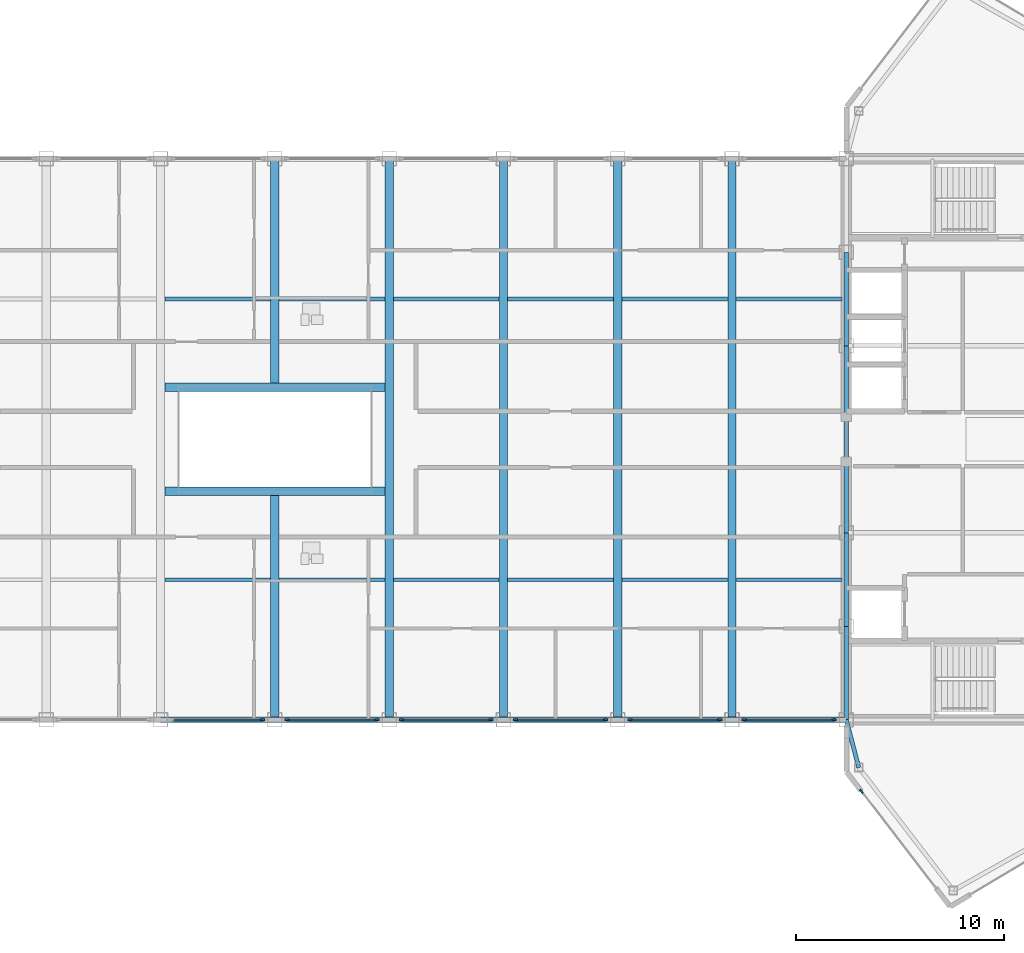
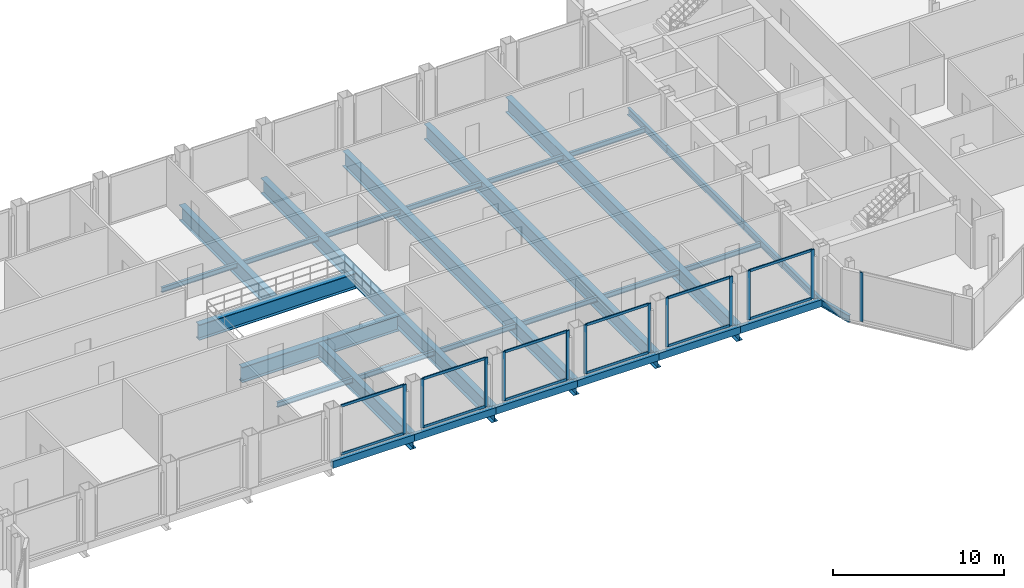
# One storey, part 13 of 28: 31 beams, 24 members, 7 elements without a shape of their own.
"""IFC4 building model written with IfcOpenShell, lengths in metres."""

from ifc_helpers import new_model, si_unit, direction, frame, origin, origin_2d, place, context, subcontext, project, spatial, rectangle, hollow_rectangle, i_section, extrude, source, transform, mapped, material, layer, layer_set, material_profile, profile_set, type_object, type_shapes, element, aggregate, save


model = new_model("IFC4")

# Units and contexts
model_context = context("Model", 3, precision=1e-05, world=origin(), true_north=direction((0.0, 1.0)))
body_context = subcontext(model_context, "Body", "Model", "MODEL_VIEW")
ifc_project = project(units=[si_unit("LENGTHUNIT", "METRE"), si_unit("AREAUNIT", "SQUARE_METRE"), si_unit("VOLUMEUNIT", "CUBIC_METRE"), si_unit("PLANEANGLEUNIT", "RADIAN"), si_unit("MASSUNIT", "GRAM", prefix="KILO")], contexts=[model_context])

# Site, building, storey
site_placement = place(None, origin())
site = spatial("IfcSite", under=ifc_project, at=site_placement, CompositionType="ELEMENT")
building_placement = place(site_placement, origin())
building = spatial("IfcBuilding", under=site, at=building_placement, Name="Seokmaru Belvedere", CompositionType="ELEMENT")
storey_placement = place(building_placement, frame((0.0, 0.0, 265.64990234375)))
storey = spatial("IfcBuildingStorey", under=building, at=storey_placement, Name="L70", CompositionType="ELEMENT", Elevation=265.64990234375)

# Beams
ifc_material_1 = material(Name="Steel SM355 (355 MPa)", Category="steel")
ifc_material_profile_1 = material_profile(ifc_material_1, i_section(OverallWidth=0.199951171875, OverallDepth=0.5, WebThickness=0.010009765625, FlangeThickness=0.01611328125, at=origin_2d()), Name="H-500x200x10x16")
ifc_profile_set_1 = profile_set([ifc_material_profile_1], Name="Steel SM355 (355 MPa)")
beam_type_1 = type_object("IfcBeamType", Name="Perimeter Spandrel Beam H-500", PredefinedType="SPANDREL", material=ifc_profile_set_1)
shared_shape_1 = source(origin(), body_context, "Body", "SweptSolid", [
    extrude(i_section(OverallWidth=0.199951171875, OverallDepth=0.5, WebThickness=0.010009765625, FlangeThickness=0.01611328125, at=origin_2d()), origin(), (0.0, 0.0, 1.0), 4.5),
])
for number, where, z_axis, x_axis, name in (
    (1, (27.5, -13.5, -0.469970703125), (0.0, 1.0, 0.0), (-1.0, 0.0, 0.0), "L70 E Portal Spine Spandrel 1"),
    (2, (27.5, -9.0, -0.469970703125), (0.0, 1.0, 0.0), (-1.0, 0.0, 0.0), "L70 E Portal Spine Spandrel 2"),
    (3, (27.5, 4.5, -0.469970703125), (0.0, 1.0, 0.0), (-1.0, 0.0, 0.0), "L70 E Portal Spine Spandrel 4"),
):
    element("IfcBeam", number, at=place(storey_placement, frame(where, z_axis=z_axis, x_axis=x_axis)), inside=storey, type_object=beam_type_1, Name=name, PredefinedType="SPANDREL", context=body_context, shape_type="MappedRepresentation", body=[
        mapped(shared_shape_1, transform((0.0, 0.0, 0.0), scale=1.0)),
    ])
shared_shape_2 = source(origin(), body_context, "Body", "SweptSolid", [
    extrude(i_section(OverallWidth=0.199951171875, OverallDepth=0.5, WebThickness=0.010009765625, FlangeThickness=0.01611328125, at=origin_2d()), origin(), (0.0, 0.0, 1.0), 9.0),
])
beam_1_placement = place(storey_placement, frame((27.5, -4.5, -0.469970703125), z_axis=(0.0, 1.0, 0.0), x_axis=(-1.0, 0.0, 0.0)))
element("IfcBeam", 4, at=beam_1_placement, inside=storey, type_object=beam_type_1, Name="L70 E Portal Spine Spandrel 3", PredefinedType="SPANDREL", context=body_context, shape_type="MappedRepresentation", body=[
    mapped(shared_shape_2, transform((0.0, 0.0, 0.0), scale=1.0)),
])
shared_shape_3 = source(origin(), body_context, "Body", "SweptSolid", [
    extrude(i_section(OverallWidth=0.199951171875, OverallDepth=0.5, WebThickness=0.010009765625, FlangeThickness=0.01611328125, at=origin_2d()), origin(), (0.0, 0.0, 1.0), 2.373046875),
])
type_shapes(beam_type_1, [shared_shape_1, shared_shape_2, shared_shape_3])
beam_2_placement = place(storey_placement, frame((28.10009765625, -15.7958984375, -0.469970703125), z_axis=(-0.252882558842, 0.967496982648, 0.0), x_axis=(-0.967496982648, -0.252882558842, 0.0)))
element("IfcBeam", 5, at=beam_2_placement, inside=storey, type_object=beam_type_1, Name="L70 E Shoulder Spine Spandrel S", PredefinedType="SPANDREL", context=body_context, shape_type="MappedRepresentation", body=[
    mapped(shared_shape_3, transform((0.0, 0.0, 0.0), scale=1.0)),
])
ifc_material_profile_2 = material_profile(ifc_material_1, i_section(OverallWidth=0.39990234375, OverallDepth=1.10009765625, WebThickness=0.02001953125, FlangeThickness=0.033935546875, at=origin_2d()), Name="BH-1100x400x20x34")
ifc_profile_set_2 = profile_set([ifc_material_profile_2], Name="Steel SM355 (355 MPa)")
beam_type_2 = type_object("IfcBeamType", Name="Sky-Gate Transverse Girder BH-1100", PredefinedType="BEAM", material=ifc_profile_set_2)
shared_shape_4 = source(origin(), body_context, "Body", "SweptSolid", [
    extrude(i_section(OverallWidth=0.39990234375, OverallDepth=1.10009765625, WebThickness=0.02001953125, FlangeThickness=0.033935546875, at=origin_2d()), origin(), (0.0, 0.0, 1.0), 27.0),
])
for number, where, z_axis, x_axis, name in (
    (6, (5.5, -13.5, -0.77001953125), (0.0, 1.0, 0.0), (-1.0, 0.0, 0.0), "L70 Sky-Gate Transverse Girder 06"),
    (7, (11.0, -13.5, -0.77001953125), (0.0, 1.0, 0.0), (-1.0, 0.0, 0.0), "L70 Sky-Gate Transverse Girder 07"),
    (8, (16.5, -13.5, -0.77001953125), (0.0, 1.0, 0.0), (-1.0, 0.0, 0.0), "L70 Sky-Gate Transverse Girder 08"),
    (9, (22.0, -13.5, -0.77001953125), (0.0, 1.0, 0.0), (-1.0, 0.0, 0.0), "L70 Sky-Gate Transverse Girder 09"),
):
    element("IfcBeam", number, at=place(storey_placement, frame(where, z_axis=z_axis, x_axis=x_axis)), inside=storey, type_object=beam_type_2, Name=name, PredefinedType="BEAM", context=body_context, shape_type="MappedRepresentation", body=[
        mapped(shared_shape_4, transform((0.0, 0.0, 0.0), scale=1.0)),
    ])
ifc_material_profile_3 = material_profile(ifc_material_1, i_section(OverallWidth=0.175048828125, OverallDepth=0.35009765625, WebThickness=0.007080078125, FlangeThickness=0.010986328125, at=origin_2d()), Name="H-350x175x7x11")
ifc_profile_set_3 = profile_set([ifc_material_profile_3], Name="Steel SM355 (355 MPa)")
beam_type_3 = type_object("IfcBeamType", Name="Secondary Floor Joist H-300", PredefinedType="JOIST", material=ifc_profile_set_3)
shared_shape_5 = source(origin(), body_context, "Body", "SweptSolid", [
    extrude(i_section(OverallWidth=0.175048828125, OverallDepth=0.35009765625, WebThickness=0.007080078125, FlangeThickness=0.010986328125, at=origin_2d()), origin(), (0.0, 0.0, 1.0), 5.08984375),
])
type_shapes(beam_type_3, [shared_shape_5])
for number, where, z_axis, x_axis, name in (
    (10, (-5.294921875, -6.75, -0.39501953125), (1.0, 0.0, 0.0), (0.0, 1.0, 0.0), "L70 Sky-Gate Secondary Joist S-05"),
    (11, (0.205078125, -6.75, -0.39501953125), (1.0, 0.0, 0.0), (0.0, 1.0, 0.0), "L70 Sky-Gate Secondary Joist S-06"),
    (12, (5.705078125, -6.75, -0.39501953125), (1.0, 0.0, 0.0), (0.0, 1.0, 0.0), "L70 Sky-Gate Secondary Joist S-07"),
    (13, (11.205078125, -6.75, -0.39501953125), (1.0, 0.0, 0.0), (0.0, 1.0, 0.0), "L70 Sky-Gate Secondary Joist S-08"),
    (14, (16.705078125, -6.75, -0.39501953125), (1.0, 0.0, 0.0), (0.0, 1.0, 0.0), "L70 Sky-Gate Secondary Joist S-09"),
    (15, (22.205078125, -6.75, -0.39501953125), (1.0, 0.0, 0.0), (0.0, 1.0, 0.0), "L70 Sky-Gate Secondary Joist S-10"),
    (16, (-5.294921875, 6.75, -0.39501953125), (1.0, 0.0, 0.0), (0.0, 1.0, 0.0), "L70 Sky-Gate Secondary Joist N-05"),
    (17, (0.205078125, 6.75, -0.39501953125), (1.0, 0.0, 0.0), (0.0, 1.0, 0.0), "L70 Sky-Gate Secondary Joist N-06"),
    (18, (5.705078125, 6.75, -0.39501953125), (1.0, 0.0, 0.0), (0.0, 1.0, 0.0), "L70 Sky-Gate Secondary Joist N-07"),
    (19, (11.205078125, 6.75, -0.39501953125), (1.0, 0.0, 0.0), (0.0, 1.0, 0.0), "L70 Sky-Gate Secondary Joist N-08"),
    (20, (16.705078125, 6.75, -0.39501953125), (1.0, 0.0, 0.0), (0.0, 1.0, 0.0), "L70 Sky-Gate Secondary Joist N-09"),
    (21, (22.205078125, 6.75, -0.39501953125), (1.0, 0.0, 0.0), (0.0, 1.0, 0.0), "L70 Sky-Gate Secondary Joist N-10"),
):
    element("IfcBeam", number, at=place(storey_placement, frame(where, z_axis=z_axis, x_axis=x_axis)), inside=storey, type_object=beam_type_3, Name=name, PredefinedType="JOIST", context=body_context, shape_type="MappedRepresentation", body=[
        mapped(shared_shape_5, transform((0.0, 0.0, 0.0), scale=1.0)),
    ])
shared_shape_6 = source(origin(), body_context, "Body", "SweptSolid", [
    extrude(i_section(OverallWidth=0.39990234375, OverallDepth=1.10009765625, WebThickness=0.02001953125, FlangeThickness=0.033935546875, at=origin_2d()), origin(), (0.0, 0.0, 1.0), 10.58984375),
])
for number, where, z_axis, x_axis, name in (
    (22, (-5.294921875, -2.5, -0.77001953125), (1.0, 0.0, 0.0), (0.0, 1.0, 0.0), "L70 Sky-Gate Atrium Header Girder S"),
    (23, (-5.294921875, 2.5, -0.77001953125), (1.0, 0.0, 0.0), (0.0, 1.0, 0.0), "L70 Sky-Gate Atrium Header Girder N"),
):
    element("IfcBeam", number, at=place(storey_placement, frame(where, z_axis=z_axis, x_axis=x_axis)), inside=storey, type_object=beam_type_2, Name=name, PredefinedType="BEAM", context=body_context, shape_type="MappedRepresentation", body=[
        mapped(shared_shape_6, transform((0.0, 0.0, 0.0), scale=1.0)),
    ])
ifc_material_profile_4 = material_profile(ifc_material_1, hollow_rectangle(XDim=0.25, YDim=0.5, WallThickness=0.013916015625, at=origin_2d()), Name="RHS-500x250x14")
ifc_profile_set_4 = profile_set([ifc_material_profile_4], Name="Steel SM355 (355 MPa)")
beam_type_4 = type_object("IfcBeamType", Name="Bridge Edge Spandrel RHS-500", PredefinedType="SPANDREL", material=ifc_profile_set_4)
shared_shape_7 = source(origin(), body_context, "Body", "SweptSolid", [
    extrude(hollow_rectangle(XDim=0.25, YDim=0.5, WallThickness=0.013916015625, at=origin_2d()), origin(), (0.0, 0.0, 1.0), 5.5),
])
type_shapes(beam_type_4, [shared_shape_7])
for number, where, z_axis, x_axis, name in (
    (24, (-5.5, -13.5, -0.469970703125), (1.0, 0.0, 0.0), (0.0, 1.0, 0.0), "L70 Sky-Gate Bridge Edge Girder S-05"),
    (25, (0.0, -13.5, -0.469970703125), (1.0, 0.0, 0.0), (0.0, 1.0, 0.0), "L70 Sky-Gate Bridge Edge Girder S-06"),
    (26, (5.5, -13.5, -0.469970703125), (1.0, 0.0, 0.0), (0.0, 1.0, 0.0), "L70 Sky-Gate Bridge Edge Girder S-07"),
    (27, (11.0, -13.5, -0.469970703125), (1.0, 0.0, 0.0), (0.0, 1.0, 0.0), "L70 Sky-Gate Bridge Edge Girder S-08"),
    (28, (16.5, -13.5, -0.469970703125), (1.0, 0.0, 0.0), (0.0, 1.0, 0.0), "L70 Sky-Gate Bridge Edge Girder S-09"),
    (29, (22.0, -13.5, -0.469970703125), (1.0, 0.0, 0.0), (0.0, 1.0, 0.0), "L70 Sky-Gate Bridge Edge Girder S-10"),
):
    element("IfcBeam", number, at=place(storey_placement, frame(where, z_axis=z_axis, x_axis=x_axis)), inside=storey, type_object=beam_type_4, Name=name, PredefinedType="SPANDREL", context=body_context, shape_type="MappedRepresentation", body=[
        mapped(shared_shape_7, transform((0.0, 0.0, 0.0), scale=1.0)),
    ])
shared_shape_8 = source(origin(), body_context, "Body", "SweptSolid", [
    extrude(i_section(OverallWidth=0.39990234375, OverallDepth=1.10009765625, WebThickness=0.02001953125, FlangeThickness=0.033935546875, at=origin_2d()), origin(), (0.0, 0.0, 1.0), 11.0),
])
type_shapes(beam_type_2, [shared_shape_4, shared_shape_6, shared_shape_8])
for number, where, z_axis, x_axis, name in (
    (30, (0.0, -13.5, -0.77001953125), (0.0, 1.0, 0.0), (-1.0, 0.0, 0.0), "L70 Sky-Gate Trimmed Girder 5S"),
    (31, (0.0, 2.5, -0.77001953125), (0.0, 1.0, 0.0), (-1.0, 0.0, 0.0), "L70 Sky-Gate Trimmed Girder 5N"),
):
    element("IfcBeam", number, at=place(storey_placement, frame(where, z_axis=z_axis, x_axis=x_axis)), inside=storey, type_object=beam_type_2, Name=name, PredefinedType="BEAM", context=body_context, shape_type="MappedRepresentation", body=[
        mapped(shared_shape_8, transform((0.0, 0.0, 0.0), scale=1.0)),
    ])

# Curtain wall, members
ifc_material_2 = material(Name="Bronze Triple Insulating Glass", Category="glass")
ifc_layer = layer(ifc_material_2, 0.219970703125)
ifc_layer_set = layer_set([ifc_layer], Name="Bronze Triple Insulating Glass")
curtain_wall_type = type_object("IfcCurtainWallType", Name="Sky-Gate Bridge Panorama Curtain Wall System CW-6", PredefinedType="NOTDEFINED", material=ifc_layer_set)
curtain_wall_1_placement = place(storey_placement, origin())
curtain_wall_1 = element("IfcCurtainWall", 32, at=curtain_wall_1_placement, inside=storey, type_object=curtain_wall_type, Name="L70 Curtain Wall BR_S05", PredefinedType="NOTDEFINED")
ifc_material_3 = material(Name="Anodised Bronze Aluminium", Category="aluminium")
ifc_material_profile_5 = material_profile(ifc_material_3, rectangle(XDim=0.074951171875, YDim=0.179931640625, at=origin_2d()), Name="CW-T-75x180")
ifc_profile_set_5 = profile_set([ifc_material_profile_5], Name="Anodised Bronze Aluminium")
member_type_1 = type_object("IfcMemberType", Name="Bronze Unitised Transom 75x180", PredefinedType="USERDEFINED", material=ifc_profile_set_5)
shared_shape_9 = source(origin(), body_context, "Body", "SweptSolid", [
    extrude(rectangle(XDim=0.074951171875, YDim=0.179931640625, at=origin_2d()), origin(), (0.0, 0.0, 1.0), 4.240234375),
])
type_shapes(member_type_1, [shared_shape_9])
member_1_placement = place(storey_placement, frame((-4.8701171875, -13.5, 0.03759765625), z_axis=(1.0, 0.0, 0.0), x_axis=(0.0, 1.0, 0.0)))
member_1 = element("IfcMember", 33, at=member_1_placement, type_object=member_type_1, Name="CW:L70:BR_S05 Continuous Transom 1", ObjectType="TRANSOM", PredefinedType="USERDEFINED", context=body_context, shape_type="MappedRepresentation", body=[
    mapped(shared_shape_9, transform((0.0, 0.0, 0.0), scale=1.0)),
])
member_2_placement = place(storey_placement, frame((-4.8701171875, -13.5, 3.45263671875), z_axis=(1.0, 0.0, 0.0), x_axis=(0.0, 1.0, 0.0)))
member_2 = element("IfcMember", 34, at=member_2_placement, type_object=member_type_1, Name="CW:L70:BR_S05 Continuous Transom 2", ObjectType="TRANSOM", PredefinedType="USERDEFINED", context=body_context, shape_type="MappedRepresentation", body=[
    mapped(shared_shape_9, transform((0.0, 0.0, 0.0), scale=1.0)),
])

curtain_wall_2_placement = place(storey_placement, origin())
curtain_wall_2 = element("IfcCurtainWall", 35, at=curtain_wall_2_placement, inside=storey, type_object=curtain_wall_type, Name="L70 Curtain Wall BR_S06", PredefinedType="NOTDEFINED")
member_3_placement = place(storey_placement, frame((0.6298828125, -13.5, 0.03759765625), z_axis=(1.0, 0.0, 0.0), x_axis=(0.0, 1.0, 0.0)))
member_3 = element("IfcMember", 36, at=member_3_placement, type_object=member_type_1, Name="CW:L70:BR_S06 Continuous Transom 1", ObjectType="TRANSOM", PredefinedType="USERDEFINED", context=body_context, shape_type="MappedRepresentation", body=[
    mapped(shared_shape_9, transform((0.0, 0.0, 0.0), scale=1.0)),
])
member_4_placement = place(storey_placement, frame((0.6298828125, -13.5, 3.45263671875), z_axis=(1.0, 0.0, 0.0), x_axis=(0.0, 1.0, 0.0)))
member_4 = element("IfcMember", 37, at=member_4_placement, type_object=member_type_1, Name="CW:L70:BR_S06 Continuous Transom 2", ObjectType="TRANSOM", PredefinedType="USERDEFINED", context=body_context, shape_type="MappedRepresentation", body=[
    mapped(shared_shape_9, transform((0.0, 0.0, 0.0), scale=1.0)),
])

curtain_wall_3_placement = place(storey_placement, origin())
curtain_wall_3 = element("IfcCurtainWall", 38, at=curtain_wall_3_placement, inside=storey, type_object=curtain_wall_type, Name="L70 Curtain Wall BR_S07", PredefinedType="NOTDEFINED")
member_5_placement = place(storey_placement, frame((6.1298828125, -13.5, 0.03759765625), z_axis=(1.0, 0.0, 0.0), x_axis=(0.0, 1.0, 0.0)))
member_5 = element("IfcMember", 39, at=member_5_placement, type_object=member_type_1, Name="CW:L70:BR_S07 Continuous Transom 1", ObjectType="TRANSOM", PredefinedType="USERDEFINED", context=body_context, shape_type="MappedRepresentation", body=[
    mapped(shared_shape_9, transform((0.0, 0.0, 0.0), scale=1.0)),
])
member_6_placement = place(storey_placement, frame((6.1298828125, -13.5, 3.45263671875), z_axis=(1.0, 0.0, 0.0), x_axis=(0.0, 1.0, 0.0)))
member_6 = element("IfcMember", 40, at=member_6_placement, type_object=member_type_1, Name="CW:L70:BR_S07 Continuous Transom 2", ObjectType="TRANSOM", PredefinedType="USERDEFINED", context=body_context, shape_type="MappedRepresentation", body=[
    mapped(shared_shape_9, transform((0.0, 0.0, 0.0), scale=1.0)),
])

curtain_wall_4_placement = place(storey_placement, origin())
curtain_wall_4 = element("IfcCurtainWall", 41, at=curtain_wall_4_placement, inside=storey, type_object=curtain_wall_type, Name="L70 Curtain Wall BR_S08", PredefinedType="NOTDEFINED")
member_7_placement = place(storey_placement, frame((11.6298828125, -13.5, 0.03759765625), z_axis=(1.0, 0.0, 0.0), x_axis=(0.0, 1.0, 0.0)))
member_7 = element("IfcMember", 42, at=member_7_placement, type_object=member_type_1, Name="CW:L70:BR_S08 Continuous Transom 1", ObjectType="TRANSOM", PredefinedType="USERDEFINED", context=body_context, shape_type="MappedRepresentation", body=[
    mapped(shared_shape_9, transform((0.0, 0.0, 0.0), scale=1.0)),
])
member_8_placement = place(storey_placement, frame((11.6298828125, -13.5, 3.45263671875), z_axis=(1.0, 0.0, 0.0), x_axis=(0.0, 1.0, 0.0)))
member_8 = element("IfcMember", 43, at=member_8_placement, type_object=member_type_1, Name="CW:L70:BR_S08 Continuous Transom 2", ObjectType="TRANSOM", PredefinedType="USERDEFINED", context=body_context, shape_type="MappedRepresentation", body=[
    mapped(shared_shape_9, transform((0.0, 0.0, 0.0), scale=1.0)),
])

curtain_wall_5_placement = place(storey_placement, origin())
curtain_wall_5 = element("IfcCurtainWall", 44, at=curtain_wall_5_placement, inside=storey, type_object=curtain_wall_type, Name="L70 Curtain Wall BR_S09", PredefinedType="NOTDEFINED")
member_9_placement = place(storey_placement, frame((17.1298828125, -13.5, 0.03759765625), z_axis=(1.0, 0.0, 0.0), x_axis=(0.0, 1.0, 0.0)))
member_9 = element("IfcMember", 45, at=member_9_placement, type_object=member_type_1, Name="CW:L70:BR_S09 Continuous Transom 1", ObjectType="TRANSOM", PredefinedType="USERDEFINED", context=body_context, shape_type="MappedRepresentation", body=[
    mapped(shared_shape_9, transform((0.0, 0.0, 0.0), scale=1.0)),
])
member_10_placement = place(storey_placement, frame((17.1298828125, -13.5, 3.45263671875), z_axis=(1.0, 0.0, 0.0), x_axis=(0.0, 1.0, 0.0)))
member_10 = element("IfcMember", 46, at=member_10_placement, type_object=member_type_1, Name="CW:L70:BR_S09 Continuous Transom 2", ObjectType="TRANSOM", PredefinedType="USERDEFINED", context=body_context, shape_type="MappedRepresentation", body=[
    mapped(shared_shape_9, transform((0.0, 0.0, 0.0), scale=1.0)),
])

curtain_wall_6_placement = place(storey_placement, origin())
curtain_wall_6 = element("IfcCurtainWall", 47, at=curtain_wall_6_placement, inside=storey, type_object=curtain_wall_type, Name="L70 Curtain Wall BR_S10", PredefinedType="NOTDEFINED")
member_11_placement = place(storey_placement, frame((22.6298828125, -13.5, 0.03759765625), z_axis=(1.0, 0.0, 0.0), x_axis=(0.0, 1.0, 0.0)))
member_11 = element("IfcMember", 48, at=member_11_placement, type_object=member_type_1, Name="CW:L70:BR_S10 Continuous Transom 1", ObjectType="TRANSOM", PredefinedType="USERDEFINED", context=body_context, shape_type="MappedRepresentation", body=[
    mapped(shared_shape_9, transform((0.0, 0.0, 0.0), scale=1.0)),
])
member_12_placement = place(storey_placement, frame((22.6298828125, -13.5, 3.45263671875), z_axis=(1.0, 0.0, 0.0), x_axis=(0.0, 1.0, 0.0)))
member_12 = element("IfcMember", 49, at=member_12_placement, type_object=member_type_1, Name="CW:L70:BR_S10 Continuous Transom 2", ObjectType="TRANSOM", PredefinedType="USERDEFINED", context=body_context, shape_type="MappedRepresentation", body=[
    mapped(shared_shape_9, transform((0.0, 0.0, 0.0), scale=1.0)),
])

# Curtain wall, member
curtain_wall_7_placement = place(storey_placement, origin())
curtain_wall_7 = element("IfcCurtainWall", 50, at=curtain_wall_7_placement, inside=storey, type_object=curtain_wall_type, Name="L70 Curtain Wall EF6", PredefinedType="NOTDEFINED")
ifc_material_profile_6 = material_profile(ifc_material_3, rectangle(XDim=0.080078125, YDim=0.219970703125, at=origin_2d()), Name="CW-M-80x220")
ifc_profile_set_6 = profile_set([ifc_material_profile_6], Name="Anodised Bronze Aluminium")
member_type_2 = type_object("IfcMemberType", Name="Bronze Unitised Mullion 80x220", PredefinedType="MULLION", material=ifc_profile_set_6)
shared_shape_10 = source(origin(), body_context, "Body", "SweptSolid", [
    extrude(rectangle(XDim=0.080078125, YDim=0.219970703125, at=origin_2d()), origin(), (0.0, 0.0, 1.0), 3.489990234375),
])
type_shapes(member_type_2, [shared_shape_10])
member_13_placement = place(storey_placement, frame((28.2255859375, -16.943115234375, 0.0), z_axis=(0.0, 0.0, 1.0), x_axis=(0.792631353244, 0.609701187349, 0.0)))
member_13 = element("IfcMember", 51, at=member_13_placement, type_object=member_type_2, Name="CW:L70:EF6 Mullion 1", PredefinedType="MULLION", context=body_context, shape_type="MappedRepresentation", body=[
    mapped(shared_shape_10, transform((0.0, 0.0, 0.0), scale=1.0)),
])
aggregate(curtain_wall_7, [member_13])

# Member
member_14_placement = place(storey_placement, frame((-0.590087890625, -13.5, 0.0), z_axis=(0.0, 0.0, 1.0), x_axis=(0.0, 1.0, 0.0)))
member_14 = element("IfcMember", 52, at=member_14_placement, type_object=member_type_2, Name="CW:L70:BR_S05 Mullion 2", PredefinedType="MULLION", context=body_context, shape_type="MappedRepresentation", body=[
    mapped(shared_shape_10, transform((0.0, 0.0, 0.0), scale=1.0)),
])

aggregate(curtain_wall_1, [member_14, member_1, member_2])

member_15_placement = place(storey_placement, frame((0.590087890625, -13.5, 0.0), z_axis=(0.0, 0.0, 1.0), x_axis=(0.0, 1.0, 0.0)))
member_15 = element("IfcMember", 53, at=member_15_placement, type_object=member_type_2, Name="CW:L70:BR_S06 Mullion 1", PredefinedType="MULLION", context=body_context, shape_type="MappedRepresentation", body=[
    mapped(shared_shape_10, transform((0.0, 0.0, 0.0), scale=1.0)),
])

member_16_placement = place(storey_placement, frame((4.909912109375, -13.5, 0.0), z_axis=(0.0, 0.0, 1.0), x_axis=(0.0, 1.0, 0.0)))
member_16 = element("IfcMember", 54, at=member_16_placement, type_object=member_type_2, Name="CW:L70:BR_S06 Mullion 2", PredefinedType="MULLION", context=body_context, shape_type="MappedRepresentation", body=[
    mapped(shared_shape_10, transform((0.0, 0.0, 0.0), scale=1.0)),
])

aggregate(curtain_wall_2, [member_15, member_16, member_3, member_4])

member_17_placement = place(storey_placement, frame((6.090087890625, -13.5, 0.0), z_axis=(0.0, 0.0, 1.0), x_axis=(0.0, 1.0, 0.0)))
member_17 = element("IfcMember", 55, at=member_17_placement, type_object=member_type_2, Name="CW:L70:BR_S07 Mullion 1", PredefinedType="MULLION", context=body_context, shape_type="MappedRepresentation", body=[
    mapped(shared_shape_10, transform((0.0, 0.0, 0.0), scale=1.0)),
])

member_18_placement = place(storey_placement, frame((10.409912109375, -13.5, 0.0), z_axis=(0.0, 0.0, 1.0), x_axis=(0.0, 1.0, 0.0)))
member_18 = element("IfcMember", 56, at=member_18_placement, type_object=member_type_2, Name="CW:L70:BR_S07 Mullion 2", PredefinedType="MULLION", context=body_context, shape_type="MappedRepresentation", body=[
    mapped(shared_shape_10, transform((0.0, 0.0, 0.0), scale=1.0)),
])

aggregate(curtain_wall_3, [member_17, member_18, member_5, member_6])

member_19_placement = place(storey_placement, frame((11.590087890625, -13.5, 0.0), z_axis=(0.0, 0.0, 1.0), x_axis=(0.0, 1.0, 0.0)))
member_19 = element("IfcMember", 57, at=member_19_placement, type_object=member_type_2, Name="CW:L70:BR_S08 Mullion 1", PredefinedType="MULLION", context=body_context, shape_type="MappedRepresentation", body=[
    mapped(shared_shape_10, transform((0.0, 0.0, 0.0), scale=1.0)),
])

member_20_placement = place(storey_placement, frame((15.909912109375, -13.5, 0.0), z_axis=(0.0, 0.0, 1.0), x_axis=(0.0, 1.0, 0.0)))
member_20 = element("IfcMember", 58, at=member_20_placement, type_object=member_type_2, Name="CW:L70:BR_S08 Mullion 2", PredefinedType="MULLION", context=body_context, shape_type="MappedRepresentation", body=[
    mapped(shared_shape_10, transform((0.0, 0.0, 0.0), scale=1.0)),
])

aggregate(curtain_wall_4, [member_19, member_20, member_7, member_8])

member_21_placement = place(storey_placement, frame((17.090087890625, -13.5, 0.0), z_axis=(0.0, 0.0, 1.0), x_axis=(0.0, 1.0, 0.0)))
member_21 = element("IfcMember", 59, at=member_21_placement, type_object=member_type_2, Name="CW:L70:BR_S09 Mullion 1", PredefinedType="MULLION", context=body_context, shape_type="MappedRepresentation", body=[
    mapped(shared_shape_10, transform((0.0, 0.0, 0.0), scale=1.0)),
])

member_22_placement = place(storey_placement, frame((21.409912109375, -13.5, 0.0), z_axis=(0.0, 0.0, 1.0), x_axis=(0.0, 1.0, 0.0)))
member_22 = element("IfcMember", 60, at=member_22_placement, type_object=member_type_2, Name="CW:L70:BR_S09 Mullion 2", PredefinedType="MULLION", context=body_context, shape_type="MappedRepresentation", body=[
    mapped(shared_shape_10, transform((0.0, 0.0, 0.0), scale=1.0)),
])

aggregate(curtain_wall_5, [member_21, member_22, member_9, member_10])

member_23_placement = place(storey_placement, frame((22.590087890625, -13.5, 0.0), z_axis=(0.0, 0.0, 1.0), x_axis=(0.0, 1.0, 0.0)))
member_23 = element("IfcMember", 61, at=member_23_placement, type_object=member_type_2, Name="CW:L70:BR_S10 Mullion 1", PredefinedType="MULLION", context=body_context, shape_type="MappedRepresentation", body=[
    mapped(shared_shape_10, transform((0.0, 0.0, 0.0), scale=1.0)),
])

member_24_placement = place(storey_placement, frame((26.909912109375, -13.5, 0.0), z_axis=(0.0, 0.0, 1.0), x_axis=(0.0, 1.0, 0.0)))
member_24 = element("IfcMember", 62, at=member_24_placement, type_object=member_type_2, Name="CW:L70:BR_S10 Mullion 2", PredefinedType="MULLION", context=body_context, shape_type="MappedRepresentation", body=[
    mapped(shared_shape_10, transform((0.0, 0.0, 0.0), scale=1.0)),
])

aggregate(curtain_wall_6, [member_23, member_24, member_11, member_12])

save(model, "model.ifc")
